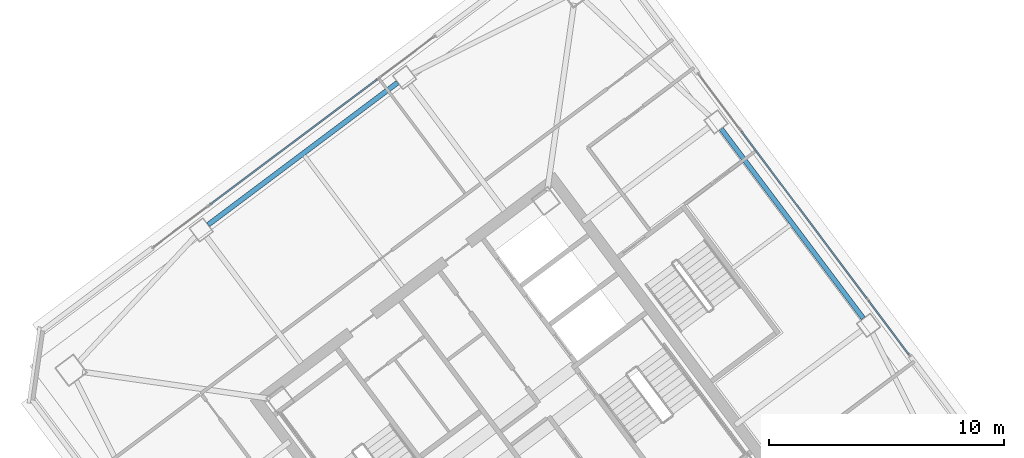
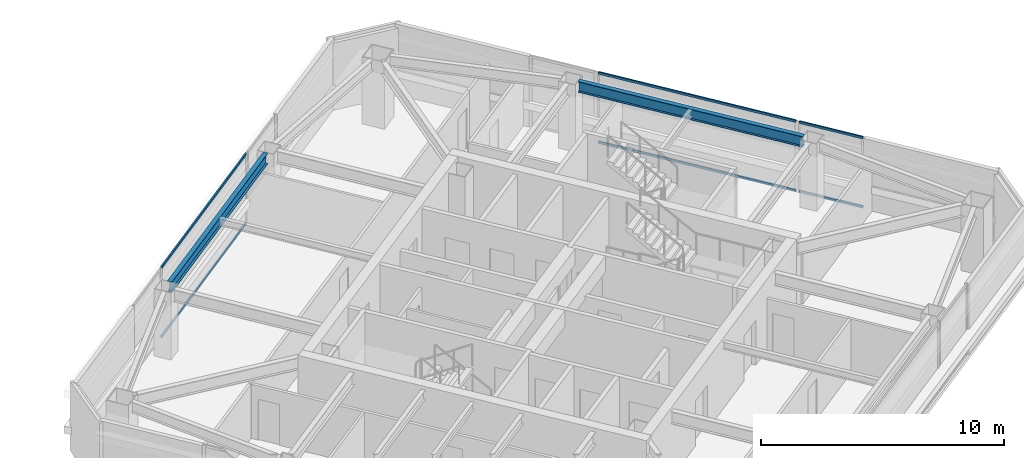
# One storey, part 25 of 39: 6 members, 2 beams, 3 elements without a shape of their own.
"""IFC4 building model written with IfcOpenShell, lengths in metres."""

import ifcopenshell
import ifcopenshell.guid

model = None  # the IFC model being written
_history = None  # IfcOwnerHistory: only IFC2X3 demands one
_inside = {}  # id of a spatial element -> (the spatial element, [elements in it])
_under = {}  # id of a project, library or spatial element -> (it, [spatial elements below it])
_declared = {}  # id of a project -> (the project, [libraries it declares])
_typed = {}  # id of a type object -> (the type object, [elements of that type])
_made_of = {}  # id of a material, layer set ... -> (it, [elements and type objects made of it])


def new_model(schema):
    """Start an empty IFC model of exactly this schema.

    Asked for "IFC4X3", IfcOpenShell would pick the latest addendum, in which some entities
    have other attributes; the version numbers below select the first issue.
    IFC2X3 requires an IfcOwnerHistory on every rooted entity: one is made here for all.
    """
    global model, _history
    if schema == "IFC4X3":
        model = ifcopenshell.file(schema_version=(4, 3, 0, 0))
    else:
        model = ifcopenshell.file(schema=schema)
    _inside.clear()
    _under.clear()
    _declared.clear()
    _typed.clear()
    _made_of.clear()
    _history = None
    if model.schema == "IFC2X3":
        org = make("IfcOrganization", Name="unknown")
        user = make(
            "IfcPersonAndOrganization",
            ThePerson=make("IfcPerson", FamilyName="unknown"),
            TheOrganization=org,
        )
        app = make(
            "IfcApplication",
            ApplicationDeveloper=org,
            Version="unknown",
            ApplicationFullName="unknown",
            ApplicationIdentifier="unknown",
        )
        _history = make(
            "IfcOwnerHistory",
            OwningUser=user,
            OwningApplication=app,
            ChangeAction="ADDED",
            CreationDate=0,
        )
    return model


def make(cls, **values):
    """One entity of the class cls with the attributes given. An attribute that is None is left unset."""
    return model.create_entity(
        cls, **{name: value for name, value in values.items() if value is not None}
    )


def rooted(cls, **values):
    """An entity with a GlobalId (a new one), such as an element, a storey or a relation."""
    return make(cls, GlobalId=ifcopenshell.guid.new(), OwnerHistory=_history, **values)


def si_unit(unit_type, name, prefix=None):
    """IfcSIUnit, for example si_unit("LENGTHUNIT", "METRE", prefix="MILLI")."""
    return make("IfcSIUnit", UnitType=unit_type, Prefix=prefix, Name=name)


def assignment(units):
    """IfcUnitAssignment: the units of a project."""
    return None if units is None else make("IfcUnitAssignment", Units=units)


def point(xyz):
    """IfcCartesianPoint."""
    return None if xyz is None else make("IfcCartesianPoint", Coordinates=xyz)


def direction(xyz):
    """IfcDirection."""
    return None if xyz is None else make("IfcDirection", DirectionRatios=xyz)


def frame(location, z_axis=None, x_axis=None):
    """IfcAxis2Placement3D, a coordinate frame: its origin and axes. An axis left out is left unset."""
    return make(
        "IfcAxis2Placement3D",
        Location=point(location),
        Axis=direction(z_axis),
        RefDirection=direction(x_axis),
    )


def frame_2d(location, x_axis=None):
    """IfcAxis2Placement2D, a coordinate frame in the plane: its origin and x axis."""
    return make(
        "IfcAxis2Placement2D", Location=point(location), RefDirection=direction(x_axis)
    )


def origin():
    """The frame at (0, 0, 0) with its axes left unset."""
    return frame((0.0, 0.0, 0.0))


def origin_2d():
    """The frame at (0, 0) in the plane with its x axis left unset."""
    return frame_2d((0.0, 0.0))


def place(relative_to, where):
    """IfcLocalPlacement: puts the frame where relative to a parent placement (None: the world)."""
    return make(
        "IfcLocalPlacement", PlacementRelTo=relative_to, RelativePlacement=where
    )


def context(
    kind, dimensions, precision=None, world=None, true_north=None, identifier=None
):
    """IfcGeometricRepresentationContext, for example the 3D "Model" context."""
    return make(
        "IfcGeometricRepresentationContext",
        ContextIdentifier=identifier,
        ContextType=kind,
        CoordinateSpaceDimension=dimensions,
        Precision=precision,
        WorldCoordinateSystem=world,
        TrueNorth=true_north,
    )


def subcontext(parent, identifier, kind, view, scale=None):
    """IfcGeometricRepresentationSubContext, for example "Body" below "Model"."""
    return make(
        "IfcGeometricRepresentationSubContext",
        ContextIdentifier=identifier,
        ContextType=kind,
        ParentContext=parent,
        TargetScale=scale,
        TargetView=view,
    )


def project(units=None, contexts=None):
    """IfcProject with its units and contexts."""
    return rooted(
        "IfcProject",
        Name="project",
        RepresentationContexts=contexts,
        UnitsInContext=assignment(units),
    )


def spatial(cls, under=None, at=None, **own):
    """A site, building, storey or space (cls), placed at a placement, below another one or the project."""
    s = rooted(cls, ObjectPlacement=at, **own)
    if under is not None:
        _under.setdefault(under.id(), (under, []))[1].append(s)
    return s


def profile(cls, at=None, kind="AREA", **sizes):
    """A parametric profile (cls). Its sizes go by their IFC names, for example OverallWidth=200.0."""
    return make(cls, ProfileType=kind, Position=at, **sizes)


def hollow_rectangle(**sizes):
    """IfcRectangleHollowProfileDef."""
    return profile("IfcRectangleHollowProfileDef", **sizes)


def i_section(**sizes):
    """IfcIShapeProfileDef."""
    return profile("IfcIShapeProfileDef", **sizes)


def extrude(swept, where, along, depth):
    """IfcExtrudedAreaSolid: the profile swept, set in the frame where, extruded along a direction by depth."""
    return make(
        "IfcExtrudedAreaSolid",
        SweptArea=swept,
        Position=where,
        ExtrudedDirection=direction(along),
        Depth=depth,
    )


def shape(context_of_items, identifier, shape_type, items):
    """IfcShapeRepresentation: the items that make up one representation, for example the "Body"."""
    return make(
        "IfcShapeRepresentation",
        ContextOfItems=context_of_items,
        RepresentationIdentifier=identifier,
        RepresentationType=shape_type,
        Items=items,
    )


def material(Name=None, Category=None):
    """IfcMaterial."""
    return make("IfcMaterial", Name=Name, Category=Category)


def material_profile(
    of_material, cross_section, Name=None, Category=None, Priority=None
):
    """IfcMaterialProfile: a cross section and its material."""
    return make(
        "IfcMaterialProfile",
        Name=Name,
        Material=of_material,
        Profile=cross_section,
        Priority=Priority,
        Category=Category,
    )


def profile_set(profiles, Name=None, composite=None):
    """IfcMaterialProfileSet."""
    return make(
        "IfcMaterialProfileSet",
        Name=Name,
        MaterialProfiles=profiles,
        CompositeProfile=composite,
    )


def made_of(thing, what):
    """Note that an element or type object is made of a material, layer set ...; save() writes the relation."""
    if what is not None:
        _made_of.setdefault(what.id(), (what, []))[1].append(thing)
    return thing


def type_object(cls, material=None, **own):
    """A type object (cls), such as IfcWallType, which elements share."""
    return made_of(rooted(cls, **own), material)


def element(
    cls,
    number,
    at=None,
    inside=None,
    cuts=None,
    type_object=None,
    material=None,
    context=None,
    identifier="Body",
    shape_type=None,
    held_by="IfcProductDefinitionShape",
    body=None,
    shapes=None,
    **own,
):
    """One element of the class cls, such as IfcWall. Its Tag is "e" and its number.

    at: its placement. inside: the storey or other place that contains it. cuts: it is an
    opening in that element (IfcRelVoidsElement). A single representation is given by context,
    identifier, shape_type and body (its items); several are given by shapes. held_by: the class
    of the entity that holds the representations. save() writes the other relations.
    """
    e = rooted(cls, Tag="e%d" % number, ObjectPlacement=at, **own)
    if body is not None:
        shapes = [shape(context, identifier, shape_type, body)]
    if shapes is not None:
        e.Representation = make(held_by, Representations=shapes)
    if inside is not None:
        _inside.setdefault(inside.id(), (inside, []))[1].append(e)
    if cuts is not None:
        rooted(
            "IfcRelVoidsElement", RelatingBuildingElement=cuts, RelatedOpeningElement=e
        )
    if type_object is not None:
        _typed.setdefault(type_object.id(), (type_object, []))[1].append(e)
    return made_of(e, material)


def aggregate(whole, parts):
    """IfcRelAggregates: a whole, such as a stair, and the parts it consists of."""
    return rooted("IfcRelAggregates", RelatingObject=whole, RelatedObjects=parts)


def save(model, path):
    """Write the relations noted so far, then the file.

    IfcRelAggregates (storeys below a building ...), IfcRelContainedInSpatialStructure (elements
    in a storey), IfcRelDefinesByType, IfcRelAssociatesMaterial and IfcRelDeclares: one each for
    every whole, place, type object, material and project.
    """
    for whole, parts in _under.values():
        aggregate(whole, parts)
    for where, things in _inside.values():
        rooted(
            "IfcRelContainedInSpatialStructure",
            RelatedElements=things,
            RelatingStructure=where,
        )
    for kind, things in _typed.values():
        rooted("IfcRelDefinesByType", RelatedObjects=things, RelatingType=kind)
    for what, things in _made_of.values():
        rooted("IfcRelAssociatesMaterial", RelatedObjects=things, RelatingMaterial=what)
    for by, libraries in _declared.values():
        rooted("IfcRelDeclares", RelatingContext=by, RelatedDefinitions=libraries)
    model.write(path)


model = new_model("IFC4")

# Units and contexts
model_context = context("Model", 3, precision=1e-05, world=origin(), true_north=direction((0.0, 1.0)))
body_context = subcontext(model_context, "Body", "Model", "MODEL_VIEW")
ifc_project = project(units=[si_unit("LENGTHUNIT", "METRE"), si_unit("AREAUNIT", "SQUARE_METRE"), si_unit("VOLUMEUNIT", "CUBIC_METRE"), si_unit("PLANEANGLEUNIT", "RADIAN"), si_unit("MASSUNIT", "GRAM", prefix="KILO")], contexts=[model_context])

# Site, building, storey
site_placement = place(None, origin())
site = spatial("IfcSite", under=ifc_project, at=site_placement, CompositionType="ELEMENT")
building_placement = place(site_placement, origin())
building = spatial("IfcBuilding", under=site, at=building_placement, Name="Tashvorn Skyway Center", CompositionType="ELEMENT")
storey_placement = place(building_placement, frame((0.0, 0.0, 225.5)))
storey = spatial("IfcBuildingStorey", under=building, at=storey_placement, Name="L61", CompositionType="ELEMENT", Elevation=225.5)

# Beams
ifc_material_1 = material(Name="Steel ASTM A992 Grade 50", Category="steel")
ifc_material_profile_1 = material_profile(ifc_material_1, i_section(OverallWidth=0.2109375, OverallDepth=0.5390625, WebThickness=0.01171875, FlangeThickness=0.018798828125, at=origin_2d()), Name="W21X73")
ifc_profile_set_1 = profile_set([ifc_material_profile_1], Name="Steel ASTM A992 Grade 50")
beam_type = type_object("IfcBeamType", Name="BM-SPANDREL-W21X73", PredefinedType="SPANDREL", material=ifc_profile_set_1)
for number, where, z_axis, x_axis, name in (
    (1, (128.89794921875, 36.885986328125, 3.1005859375), (-0.599988351091, 0.800008736549, 0.0), (-0.800008736549, -0.599988351091, 0.0), "Tower 2 L61 Spandrel Beam 05"),
    (2, (109.114013671875, 46.89794921875, 3.1005859375), (-0.800008736549, -0.599988351091, 0.0), (0.599988351091, -0.800008736549, 0.0), "Tower 2 L61 Spandrel Beam 08"),
):
    element("IfcBeam", number, at=place(storey_placement, frame(where, z_axis=z_axis, x_axis=x_axis)), inside=storey, type_object=beam_type, Name=name, PredefinedType="SPANDREL", context=body_context, shape_type="SweptSolid", body=[
        extrude(i_section(OverallWidth=0.2109375, OverallDepth=0.5390625, WebThickness=0.01171875, FlangeThickness=0.018798828125, at=origin_2d()), origin(), (0.0, 0.0, 1.0), 10.06005859375),
    ])

# Curtain wall, members
ifc_material_2 = material(Name="Thermally broken bronze-anodized aluminium 6063-T6", Category="aluminium")
curtain_wall_type = type_object("IfcCurtainWallType", Name="CW-CW-Z5", PredefinedType="NOTDEFINED", material=ifc_material_2)
curtain_wall_1_placement = place(storey_placement, origin())
curtain_wall_1 = element("IfcCurtainWall", 3, at=curtain_wall_1_placement, inside=storey, type_object=curtain_wall_type, Name="Tower 2 L61 North Unitised Curtain Wall Glazing Group 2", PredefinedType="NOTDEFINED")
ifc_material_profile_2 = material_profile(ifc_material_2, hollow_rectangle(XDim=0.070068359375, YDim=0.114990234375, WallThickness=0.00390625, at=origin_2d()), Name="ALU-TRAN-70x115")
ifc_profile_set_2 = profile_set([ifc_material_profile_2], Name="Thermally broken bronze-anodized aluminium 6063-T6")
member_type = type_object("IfcMemberType", Name="CWT-CW-Z5", PredefinedType="USERDEFINED", material=ifc_profile_set_2)
member_1_placement = place(storey_placement, frame((101.17333984375, 41.72998046875, 0.034912109375), z_axis=(0.799996688401, 0.600004415441, 0.0), x_axis=(-0.600004415441, 0.799996688401, 0.0)))
member_1 = element("IfcMember", 4, at=member_1_placement, type_object=member_type, Name="CW-Z5 transom 1.1", ObjectType="TRANSOM", PredefinedType="USERDEFINED", context=body_context, shape_type="SweptSolid", body=[
    extrude(hollow_rectangle(XDim=0.070068359375, YDim=0.114990234375, WallThickness=0.00390625, at=origin_2d()), origin(), (0.0, 0.0, 1.0), 8.8466796875),
])
member_2_placement = place(storey_placement, frame((101.17333984375, 41.72998046875, 3.514892578125), z_axis=(0.799996688401, 0.600004415441, 0.0), x_axis=(-0.600004415441, 0.799996688401, 0.0)))
member_2 = element("IfcMember", 5, at=member_2_placement, type_object=member_type, Name="CW-Z5 transom 1.2", ObjectType="TRANSOM", PredefinedType="USERDEFINED", context=body_context, shape_type="SweptSolid", body=[
    extrude(hollow_rectangle(XDim=0.070068359375, YDim=0.114990234375, WallThickness=0.00390625, at=origin_2d()), origin(), (0.0, 0.0, 1.0), 8.8466796875),
])
aggregate(curtain_wall_1, [member_1, member_2])

curtain_wall_2_placement = place(storey_placement, origin())
curtain_wall_2 = element("IfcCurtainWall", 6, at=curtain_wall_2_placement, inside=storey, type_object=curtain_wall_type, Name="Tower 2 L61 East Unitised Curtain Wall Glazing Group 2", PredefinedType="NOTDEFINED")
member_3_placement = place(storey_placement, frame((123.72998046875, 44.82666015625, 0.034912109375), z_axis=(0.600004415441, -0.799996688401, 0.0), x_axis=(0.799996688401, 0.600004415441, 0.0)))
member_3 = element("IfcMember", 7, at=member_3_placement, type_object=member_type, Name="CW-Z5 transom 1.1", ObjectType="TRANSOM", PredefinedType="USERDEFINED", context=body_context, shape_type="SweptSolid", body=[
    extrude(hollow_rectangle(XDim=0.070068359375, YDim=0.114990234375, WallThickness=0.00390625, at=origin_2d()), origin(), (0.0, 0.0, 1.0), 8.8466796875),
])
member_4_placement = place(storey_placement, frame((123.72998046875, 44.82666015625, 3.514892578125), z_axis=(0.600004415441, -0.799996688401, 0.0), x_axis=(0.799996688401, 0.600004415441, 0.0)))
member_4 = element("IfcMember", 8, at=member_4_placement, type_object=member_type, Name="CW-Z5 transom 1.2", ObjectType="TRANSOM", PredefinedType="USERDEFINED", context=body_context, shape_type="SweptSolid", body=[
    extrude(hollow_rectangle(XDim=0.070068359375, YDim=0.114990234375, WallThickness=0.00390625, at=origin_2d()), origin(), (0.0, 0.0, 1.0), 8.8466796875),
])
aggregate(curtain_wall_2, [member_3, member_4])

curtain_wall_3_placement = place(storey_placement, origin())
curtain_wall_3 = element("IfcCurtainWall", 9, at=curtain_wall_3_placement, inside=storey, type_object=curtain_wall_type, Name="Tower 2 L61 East Unitised Curtain Wall Glazing Group 3", PredefinedType="NOTDEFINED")
member_5_placement = place(storey_placement, frame((129.1220703125, 37.63720703125, 0.034912109375), z_axis=(0.599958958837, -0.800030779227, 0.0), x_axis=(0.800030779227, 0.599958958837, 0.0)))
member_5 = element("IfcMember", 10, at=member_5_placement, type_object=member_type, Name="CW-Z5 transom 1.1", ObjectType="TRANSOM", PredefinedType="USERDEFINED", context=body_context, shape_type="SweptSolid", body=[
    extrude(hollow_rectangle(XDim=0.070068359375, YDim=0.114990234375, WallThickness=0.00390625, at=origin_2d()), origin(), (0.0, 0.0, 1.0), 2.85546875),
])
member_6_placement = place(storey_placement, frame((129.1220703125, 37.63720703125, 3.514892578125), z_axis=(0.599958958837, -0.800030779227, 0.0), x_axis=(0.800030779227, 0.599958958837, 0.0)))
member_6 = element("IfcMember", 11, at=member_6_placement, type_object=member_type, Name="CW-Z5 transom 1.2", ObjectType="TRANSOM", PredefinedType="USERDEFINED", context=body_context, shape_type="SweptSolid", body=[
    extrude(hollow_rectangle(XDim=0.070068359375, YDim=0.114990234375, WallThickness=0.00390625, at=origin_2d()), origin(), (0.0, 0.0, 1.0), 2.85546875),
])
aggregate(curtain_wall_3, [member_5, member_6])

save(model, "model.ifc")
